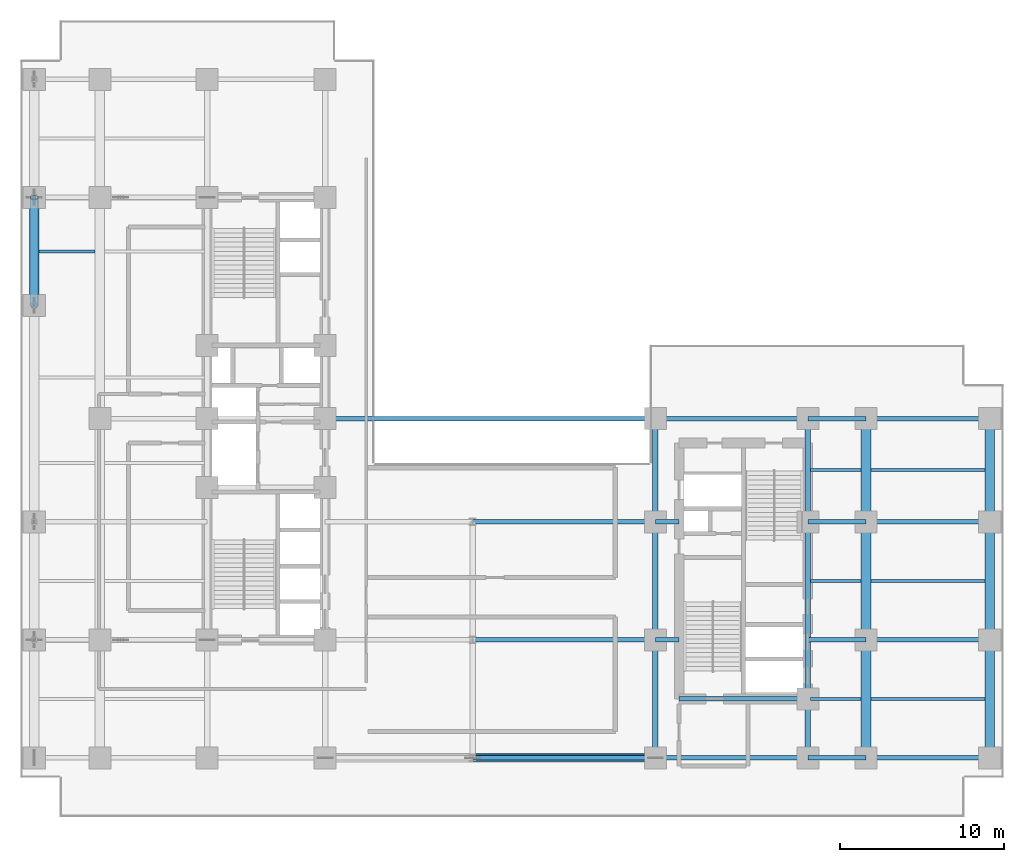
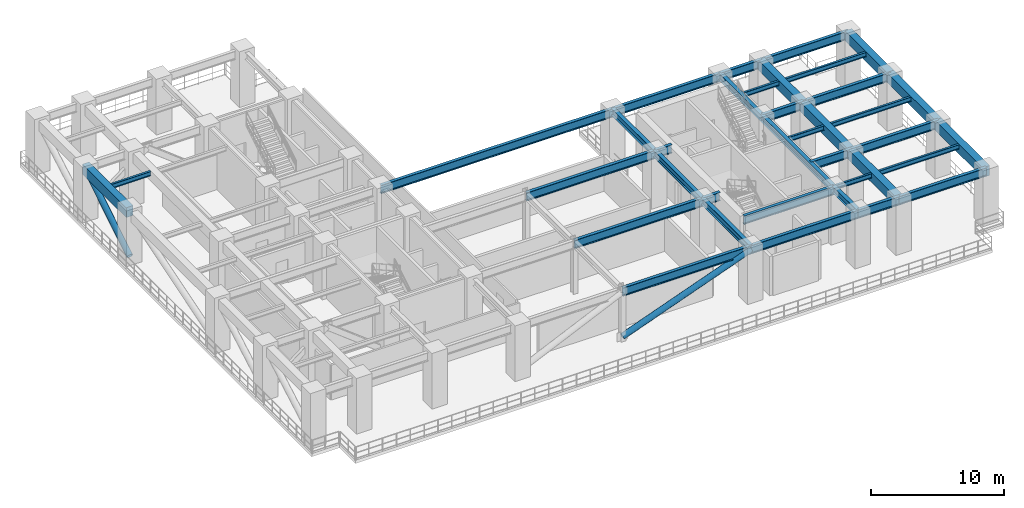
# One storey, part 3 of 15: 37 beams, 2 members.
"""IFC4 building model written with IfcOpenShell, lengths in metres."""

from ifc_helpers import new_model, entity, si_unit, converted_unit, direction, frame, origin_with_axes, origin_2d_with_axis, place, context, subcontext, project, spatial, rectangle, hollow_circle, i_section, extrude, material, material_profile, profile_set, type_object, element, save


model = new_model("IFC4")

# Units and contexts
model_context = context("Model", 3, precision=1e-05, world=origin_with_axes(), true_north=direction((0.0, 1.0)))
body_context = subcontext(model_context, "Body", "Model", "MODEL_VIEW")
ifc_project = project(units=[si_unit("LENGTHUNIT", "METRE"), si_unit("AREAUNIT", "SQUARE_METRE"), si_unit("VOLUMEUNIT", "CUBIC_METRE"), converted_unit("PLANEANGLEUNIT", "DEGREE", entity("IfcPlaneAngleMeasure", 0.017453292519943295), si_unit("PLANEANGLEUNIT", "RADIAN"), dimensions=[0, 0, 0, 0, 0, 0, 0]), si_unit("MASSUNIT", "GRAM", prefix="KILO"), si_unit("THERMODYNAMICTEMPERATUREUNIT", "KELVIN")], contexts=[model_context])

# Site, building, storey
site_placement = place(None, origin_with_axes())
site = spatial("IfcSite", under=ifc_project, at=site_placement, CompositionType="ELEMENT")
building_placement = place(site_placement, origin_with_axes())
building = spatial("IfcBuilding", under=site, at=building_placement, Name="Varnlund Millrace Tower", CompositionType="ELEMENT")
storey_placement = place(building_placement, frame((0.0, 0.0, 79.5), z_axis=(0.0, 0.0, 1.0), x_axis=(1.0, 0.0, 0.0)))
storey = spatial("IfcBuildingStorey", under=building, at=storey_placement, Name="L19", CompositionType="ELEMENT", Elevation=79.5)

# Members
ifc_material_1 = material(Name="Steel ASTM A500 Grade C", Category="steel")
ifc_material_profile_1 = material_profile(ifc_material_1, hollow_circle(Radius=0.254, WallThickness=0.0147, at=origin_2d_with_axis()), Name="Steel ASTM A500 Grade C")
ifc_profile_set_1 = profile_set([ifc_material_profile_1], Name="Steel ASTM A500 Grade C")
member_type = type_object("IfcMemberType", Name="Type-Belt-Brace-CHS508", PredefinedType="BRACE", material=ifc_profile_set_1)
member_1_placement = place(storey_placement, frame((0.85, 31.2, 0.35), z_axis=(0.0, 0.849441, 0.527683), x_axis=(-1.0, 0.0, 0.0)))
element("IfcMember", 1, at=member_1_placement, inside=storey, type_object=member_type, Name="Type-Belt-Brace-CHS508", PredefinedType="BRACE", context=body_context, shape_type="SweptSolid", body=[
    extrude(hollow_circle(Radius=0.254, WallThickness=0.0147, at=origin_2d_with_axis()), origin_with_axes(), (0.0, 0.0, 1.0), 7.769813),
])
member_2_placement = place(storey_placement, frame((27.6, 3.6, 0.35), z_axis=(0.938559, 0.0, 0.34512), x_axis=(0.0, 1.0, 0.0)))
element("IfcMember", 2, at=member_2_placement, inside=storey, type_object=member_type, Name="Type-Belt-Brace-CHS508", PredefinedType="BRACE", context=body_context, shape_type="SweptSolid", body=[
    extrude(hollow_circle(Radius=0.254, WallThickness=0.0147, at=origin_2d_with_axis()), origin_with_axes(), (0.0, 0.0, 1.0), 11.87992),
])

# Beams
ifc_material_2 = material(Name="Steel ASTM A992 Grade 50", Category="steel")
ifc_material_profile_2 = material_profile(ifc_material_2, i_section(OverallWidth=0.328, OverallDepth=0.628, WebThickness=0.0165, FlangeThickness=0.0277, FilletRadius=0.018, at=origin_2d_with_axis()), Name="Steel ASTM A992 Grade 50")
ifc_profile_set_2 = profile_set([ifc_material_profile_2], Name="Steel ASTM A992 Grade 50")
beam_type_1 = type_object("IfcBeamType", Name="Type-Girder-W24X146", PredefinedType="USERDEFINED", material=ifc_profile_set_2)
for number, where, z_axis, x_axis, name in (
    (3, (38.75, 3.6, 4.546), (0.0, 1.0, 0.0), (-1.0, 0.0, 0.0), "Type-Girder-W24X146"),
    (4, (38.75, 10.8, 4.546), (0.0, 1.0, 0.0), (-1.0, 0.0, 0.0), "Type-Girder-W24X146"),
):
    element("IfcBeam", number, at=place(storey_placement, frame(where, z_axis=z_axis, x_axis=x_axis)), inside=storey, type_object=beam_type_1, Name=name, ObjectType="GIRDER", PredefinedType="USERDEFINED", context=body_context, shape_type="SweptSolid", body=[
        extrude(i_section(OverallWidth=0.328, OverallDepth=0.628, WebThickness=0.0165, FlangeThickness=0.0277, FilletRadius=0.018, at=origin_2d_with_axis()), origin_with_axes(), (0.0, 0.0, 1.0), 7.2),
    ])
beam_1_placement = place(storey_placement, frame((38.75, 18.0, 4.546), z_axis=(0.0, 1.0, 0.0), x_axis=(-1.0, 0.0, 0.0)))
element("IfcBeam", 5, at=beam_1_placement, inside=storey, type_object=beam_type_1, Name="Type-Girder-W24X146", ObjectType="GIRDER", PredefinedType="USERDEFINED", context=body_context, shape_type="SweptSolid", body=[
    extrude(i_section(OverallWidth=0.328, OverallDepth=0.628, WebThickness=0.0165, FlangeThickness=0.0277, FilletRadius=0.018, at=origin_2d_with_axis()), origin_with_axes(), (0.0, 0.0, 1.0), 6.3),
])
beam_2_placement = place(storey_placement, frame((48.05, 3.6, 4.546), z_axis=(0.0, 1.0, 0.0), x_axis=(-1.0, 0.0, 0.0)))
element("IfcBeam", 6, at=beam_2_placement, inside=storey, type_object=beam_type_1, Name="Type-Girder-W24X146", ObjectType="GIRDER", PredefinedType="USERDEFINED", context=body_context, shape_type="SweptSolid", body=[
    extrude(i_section(OverallWidth=0.328, OverallDepth=0.628, WebThickness=0.0165, FlangeThickness=0.0277, FilletRadius=0.018, at=origin_2d_with_axis()), origin_with_axes(), (0.0, 0.0, 1.0), 3.6),
])
beam_3_placement = place(storey_placement, frame((48.05, 7.2, 4.546), z_axis=(0.0, 1.0, 0.0), x_axis=(-1.0, 0.0, 0.0)))
element("IfcBeam", 7, at=beam_3_placement, inside=storey, type_object=beam_type_1, Name="Type-Girder-W24X146", ObjectType="GIRDER", PredefinedType="USERDEFINED", context=body_context, shape_type="SweptSolid", body=[
    extrude(i_section(OverallWidth=0.328, OverallDepth=0.628, WebThickness=0.0165, FlangeThickness=0.0277, FilletRadius=0.018, at=origin_2d_with_axis()), origin_with_axes(), (0.0, 0.0, 1.0), 10.8),
])
beam_4_placement = place(storey_placement, frame((48.05, 18.0, 4.546), z_axis=(0.0, 1.0, 0.0), x_axis=(-1.0, 0.0, 0.0)))
element("IfcBeam", 8, at=beam_4_placement, inside=storey, type_object=beam_type_1, Name="Type-Girder-W24X146", ObjectType="GIRDER", PredefinedType="USERDEFINED", context=body_context, shape_type="SweptSolid", body=[
    extrude(i_section(OverallWidth=0.328, OverallDepth=0.628, WebThickness=0.0165, FlangeThickness=0.0277, FilletRadius=0.018, at=origin_2d_with_axis()), origin_with_axes(), (0.0, 0.0, 1.0), 6.3),
])
ifc_material_profile_3 = material_profile(ifc_material_2, i_section(OverallWidth=0.266, OverallDepth=0.779, WebThickness=0.0165, FlangeThickness=0.03, FilletRadius=0.02, at=origin_2d_with_axis()), Name="Steel ASTM A992 Grade 50")
ifc_profile_set_3 = profile_set([ifc_material_profile_3], Name="Steel ASTM A992 Grade 50")
beam_type_2 = type_object("IfcBeamType", Name="Type-Girder-W30X148", PredefinedType="USERDEFINED", material=ifc_profile_set_3)
beam_5_placement = place(storey_placement, frame((27.6, 3.6, 4.4705), z_axis=(1.0, 0.0, 0.0), x_axis=(0.0, 1.0, 0.0)))
element("IfcBeam", 9, at=beam_5_placement, inside=storey, type_object=beam_type_2, Name="Type-Girder-W30X148", ObjectType="GIRDER", PredefinedType="USERDEFINED", context=body_context, shape_type="SweptSolid", body=[
    extrude(i_section(OverallWidth=0.266, OverallDepth=0.779, WebThickness=0.0165, FlangeThickness=0.03, FilletRadius=0.02, at=origin_2d_with_axis()), origin_with_axes(), (0.0, 0.0, 1.0), 11.15),
])
beam_6_placement = place(storey_placement, frame((38.75, 3.6, 4.4705), z_axis=(1.0, 0.0, 0.0), x_axis=(0.0, 1.0, 0.0)))
element("IfcBeam", 10, at=beam_6_placement, inside=storey, type_object=beam_type_2, Name="Type-Girder-W30X148", ObjectType="GIRDER", PredefinedType="USERDEFINED", context=body_context, shape_type="SweptSolid", body=[
    extrude(i_section(OverallWidth=0.266, OverallDepth=0.779, WebThickness=0.0165, FlangeThickness=0.03, FilletRadius=0.02, at=origin_2d_with_axis()), origin_with_axes(), (0.0, 0.0, 1.0), 9.3),
])
beam_7_placement = place(storey_placement, frame((48.05, 3.6, 4.4705), z_axis=(1.0, 0.0, 0.0), x_axis=(0.0, 1.0, 0.0)))
element("IfcBeam", 11, at=beam_7_placement, inside=storey, type_object=beam_type_2, Name="Type-Girder-W30X148", ObjectType="GIRDER", PredefinedType="USERDEFINED", context=body_context, shape_type="SweptSolid", body=[
    extrude(i_section(OverallWidth=0.266, OverallDepth=0.779, WebThickness=0.0165, FlangeThickness=0.03, FilletRadius=0.02, at=origin_2d_with_axis()), origin_with_axes(), (0.0, 0.0, 1.0), 3.55),
])
beam_8_placement = place(storey_placement, frame((51.6, 3.6, 4.4705), z_axis=(1.0, 0.0, 0.0), x_axis=(0.0, 1.0, 0.0)))
element("IfcBeam", 12, at=beam_8_placement, inside=storey, type_object=beam_type_2, Name="Type-Girder-W30X148", ObjectType="GIRDER", PredefinedType="USERDEFINED", context=body_context, shape_type="SweptSolid", body=[
    extrude(i_section(OverallWidth=0.266, OverallDepth=0.779, WebThickness=0.0165, FlangeThickness=0.03, FilletRadius=0.02, at=origin_2d_with_axis()), origin_with_axes(), (0.0, 0.0, 1.0), 7.55),
])
beam_9_placement = place(storey_placement, frame((40.2, 7.2, 4.4705), z_axis=(1.0, 0.0, 0.0), x_axis=(0.0, 1.0, 0.0)))
element("IfcBeam", 13, at=beam_9_placement, inside=storey, type_object=beam_type_2, Name="Type-Girder-W30X148", ObjectType="GIRDER", PredefinedType="USERDEFINED", context=body_context, shape_type="SweptSolid", body=[
    extrude(i_section(OverallWidth=0.266, OverallDepth=0.779, WebThickness=0.0165, FlangeThickness=0.03, FilletRadius=0.02, at=origin_2d_with_axis()), origin_with_axes(), (0.0, 0.0, 1.0), 7.85),
])
beam_10_placement = place(storey_placement, frame((27.6, 10.8, 4.4705), z_axis=(1.0, 0.0, 0.0), x_axis=(0.0, 1.0, 0.0)))
element("IfcBeam", 14, at=beam_10_placement, inside=storey, type_object=beam_type_2, Name="Type-Girder-W30X148", ObjectType="GIRDER", PredefinedType="USERDEFINED", context=body_context, shape_type="SweptSolid", body=[
    extrude(i_section(OverallWidth=0.266, OverallDepth=0.779, WebThickness=0.0165, FlangeThickness=0.03, FilletRadius=0.02, at=origin_2d_with_axis()), origin_with_axes(), (0.0, 0.0, 1.0), 11.15),
])
beam_11_placement = place(storey_placement, frame((38.75, 10.8, 4.4705), z_axis=(1.0, 0.0, 0.0), x_axis=(0.0, 1.0, 0.0)))
element("IfcBeam", 15, at=beam_11_placement, inside=storey, type_object=beam_type_2, Name="Type-Girder-W30X148", ObjectType="GIRDER", PredefinedType="USERDEFINED", context=body_context, shape_type="SweptSolid", body=[
    extrude(i_section(OverallWidth=0.266, OverallDepth=0.779, WebThickness=0.0165, FlangeThickness=0.03, FilletRadius=0.02, at=origin_2d_with_axis()), origin_with_axes(), (0.0, 0.0, 1.0), 1.45),
])
beam_12_placement = place(storey_placement, frame((48.05, 10.8, 4.4705), z_axis=(1.0, 0.0, 0.0), x_axis=(0.0, 1.0, 0.0)))
element("IfcBeam", 16, at=beam_12_placement, inside=storey, type_object=beam_type_2, Name="Type-Girder-W30X148", ObjectType="GIRDER", PredefinedType="USERDEFINED", context=body_context, shape_type="SweptSolid", body=[
    extrude(i_section(OverallWidth=0.266, OverallDepth=0.779, WebThickness=0.0165, FlangeThickness=0.03, FilletRadius=0.02, at=origin_2d_with_axis()), origin_with_axes(), (0.0, 0.0, 1.0), 3.55),
])
beam_13_placement = place(storey_placement, frame((51.6, 10.8, 4.4705), z_axis=(1.0, 0.0, 0.0), x_axis=(0.0, 1.0, 0.0)))
element("IfcBeam", 17, at=beam_13_placement, inside=storey, type_object=beam_type_2, Name="Type-Girder-W30X148", ObjectType="GIRDER", PredefinedType="USERDEFINED", context=body_context, shape_type="SweptSolid", body=[
    extrude(i_section(OverallWidth=0.266, OverallDepth=0.779, WebThickness=0.0165, FlangeThickness=0.03, FilletRadius=0.02, at=origin_2d_with_axis()), origin_with_axes(), (0.0, 0.0, 1.0), 7.55),
])
beam_14_placement = place(storey_placement, frame((27.6, 18.0, 4.4705), z_axis=(1.0, 0.0, 0.0), x_axis=(0.0, 1.0, 0.0)))
element("IfcBeam", 18, at=beam_14_placement, inside=storey, type_object=beam_type_2, Name="Type-Girder-W30X148", ObjectType="GIRDER", PredefinedType="USERDEFINED", context=body_context, shape_type="SweptSolid", body=[
    extrude(i_section(OverallWidth=0.266, OverallDepth=0.779, WebThickness=0.0165, FlangeThickness=0.03, FilletRadius=0.02, at=origin_2d_with_axis()), origin_with_axes(), (0.0, 0.0, 1.0), 11.15),
])
beam_15_placement = place(storey_placement, frame((38.75, 18.0, 4.4705), z_axis=(1.0, 0.0, 0.0), x_axis=(0.0, 1.0, 0.0)))
element("IfcBeam", 19, at=beam_15_placement, inside=storey, type_object=beam_type_2, Name="Type-Girder-W30X148", ObjectType="GIRDER", PredefinedType="USERDEFINED", context=body_context, shape_type="SweptSolid", body=[
    extrude(i_section(OverallWidth=0.266, OverallDepth=0.779, WebThickness=0.0165, FlangeThickness=0.03, FilletRadius=0.02, at=origin_2d_with_axis()), origin_with_axes(), (0.0, 0.0, 1.0), 1.45),
])
beam_16_placement = place(storey_placement, frame((48.05, 18.0, 4.4705), z_axis=(1.0, 0.0, 0.0), x_axis=(0.0, 1.0, 0.0)))
element("IfcBeam", 20, at=beam_16_placement, inside=storey, type_object=beam_type_2, Name="Type-Girder-W30X148", ObjectType="GIRDER", PredefinedType="USERDEFINED", context=body_context, shape_type="SweptSolid", body=[
    extrude(i_section(OverallWidth=0.266, OverallDepth=0.779, WebThickness=0.0165, FlangeThickness=0.03, FilletRadius=0.02, at=origin_2d_with_axis()), origin_with_axes(), (0.0, 0.0, 1.0), 3.55),
])
beam_17_placement = place(storey_placement, frame((51.6, 18.0, 4.4705), z_axis=(1.0, 0.0, 0.0), x_axis=(0.0, 1.0, 0.0)))
element("IfcBeam", 21, at=beam_17_placement, inside=storey, type_object=beam_type_2, Name="Type-Girder-W30X148", ObjectType="GIRDER", PredefinedType="USERDEFINED", context=body_context, shape_type="SweptSolid", body=[
    extrude(i_section(OverallWidth=0.266, OverallDepth=0.779, WebThickness=0.0165, FlangeThickness=0.03, FilletRadius=0.02, at=origin_2d_with_axis()), origin_with_axes(), (0.0, 0.0, 1.0), 7.55),
])
beam_18_placement = place(storey_placement, frame((18.6, 24.3, 4.4705), z_axis=(1.0, 0.0, 0.0), x_axis=(0.0, 1.0, 0.0)))
element("IfcBeam", 22, at=beam_18_placement, inside=storey, type_object=beam_type_2, Name="Type-Girder-W30X148", ObjectType="GIRDER", PredefinedType="USERDEFINED", context=body_context, shape_type="SweptSolid", body=[
    extrude(i_section(OverallWidth=0.266, OverallDepth=0.779, WebThickness=0.0165, FlangeThickness=0.03, FilletRadius=0.02, at=origin_2d_with_axis()), origin_with_axes(), (0.0, 0.0, 1.0), 20.15),
])
beam_19_placement = place(storey_placement, frame((38.75, 24.3, 4.4705), z_axis=(1.0, 0.0, 0.0), x_axis=(0.0, 1.0, 0.0)))
element("IfcBeam", 23, at=beam_19_placement, inside=storey, type_object=beam_type_2, Name="Type-Girder-W30X148", ObjectType="GIRDER", PredefinedType="USERDEFINED", context=body_context, shape_type="SweptSolid", body=[
    extrude(i_section(OverallWidth=0.266, OverallDepth=0.779, WebThickness=0.0165, FlangeThickness=0.03, FilletRadius=0.02, at=origin_2d_with_axis()), origin_with_axes(), (0.0, 0.0, 1.0), 9.3),
])
beam_20_placement = place(storey_placement, frame((48.05, 24.3, 4.4705), z_axis=(1.0, 0.0, 0.0), x_axis=(0.0, 1.0, 0.0)))
element("IfcBeam", 24, at=beam_20_placement, inside=storey, type_object=beam_type_2, Name="Type-Girder-W30X148", ObjectType="GIRDER", PredefinedType="USERDEFINED", context=body_context, shape_type="SweptSolid", body=[
    extrude(i_section(OverallWidth=0.266, OverallDepth=0.779, WebThickness=0.0165, FlangeThickness=0.03, FilletRadius=0.02, at=origin_2d_with_axis()), origin_with_axes(), (0.0, 0.0, 1.0), 3.55),
])
beam_21_placement = place(storey_placement, frame((51.6, 24.3, 4.4705), z_axis=(1.0, 0.0, 0.0), x_axis=(0.0, 1.0, 0.0)))
element("IfcBeam", 25, at=beam_21_placement, inside=storey, type_object=beam_type_2, Name="Type-Girder-W30X148", ObjectType="GIRDER", PredefinedType="USERDEFINED", context=body_context, shape_type="SweptSolid", body=[
    extrude(i_section(OverallWidth=0.266, OverallDepth=0.779, WebThickness=0.0165, FlangeThickness=0.03, FilletRadius=0.02, at=origin_2d_with_axis()), origin_with_axes(), (0.0, 0.0, 1.0), 7.55),
])
ifc_material_profile_4 = material_profile(ifc_material_2, i_section(OverallWidth=0.181, OverallDepth=0.417, WebThickness=0.0109, FlangeThickness=0.0182, FilletRadius=0.013, at=origin_2d_with_axis()), Name="Steel ASTM A992 Grade 50")
ifc_profile_set_4 = profile_set([ifc_material_profile_4], Name="Steel ASTM A992 Grade 50")
beam_type_3 = type_object("IfcBeamType", Name="Type-Joist-W16X57", PredefinedType="JOIST", material=ifc_profile_set_4)
beam_22_placement = place(storey_placement, frame((1.15, 34.5, 4.6515), z_axis=(1.0, 0.0, 0.0), x_axis=(0.0, 1.0, 0.0)))
element("IfcBeam", 26, at=beam_22_placement, inside=storey, type_object=beam_type_3, Name="Type-Joist-W16X57", PredefinedType="JOIST", context=body_context, shape_type="SweptSolid", body=[
    extrude(i_section(OverallWidth=0.181, OverallDepth=0.417, WebThickness=0.0109, FlangeThickness=0.0182, FilletRadius=0.013, at=origin_2d_with_axis()), origin_with_axes(), (0.0, 0.0, 1.0), 3.4),
])
for number, where, z_axis, x_axis, name in (
    (27, (48.214, 7.2, 4.6515), (1.0, 0.0, 0.0), (0.0, 1.0, 0.0), "Type-Joist-W16X57"),
    (28, (48.214, 14.4, 4.6515), (1.0, 0.0, 0.0), (0.0, 1.0, 0.0), "Type-Joist-W16X57"),
    (29, (48.214, 21.15, 4.6515), (1.0, 0.0, 0.0), (0.0, 1.0, 0.0), "Type-Joist-W16X57"),
):
    element("IfcBeam", number, at=place(storey_placement, frame(where, z_axis=z_axis, x_axis=x_axis)), inside=storey, type_object=beam_type_3, Name=name, PredefinedType="JOIST", context=body_context, shape_type="SweptSolid", body=[
        extrude(i_section(OverallWidth=0.181, OverallDepth=0.417, WebThickness=0.0109, FlangeThickness=0.0182, FilletRadius=0.013, at=origin_2d_with_axis()), origin_with_axes(), (0.0, 0.0, 1.0), 3.086),
    ])
for number, where, z_axis, x_axis, name in (
    (30, (51.9, 7.2, 4.6515), (1.0, 0.0, 0.0), (0.0, 1.0, 0.0), "Type-Joist-W16X57"),
    (31, (51.9, 14.4, 4.6515), (1.0, 0.0, 0.0), (0.0, 1.0, 0.0), "Type-Joist-W16X57"),
    (32, (51.9, 21.15, 4.6515), (1.0, 0.0, 0.0), (0.0, 1.0, 0.0), "Type-Joist-W16X57"),
):
    element("IfcBeam", number, at=place(storey_placement, frame(where, z_axis=z_axis, x_axis=x_axis)), inside=storey, type_object=beam_type_3, Name=name, PredefinedType="JOIST", context=body_context, shape_type="SweptSolid", body=[
        extrude(i_section(OverallWidth=0.181, OverallDepth=0.417, WebThickness=0.0109, FlangeThickness=0.0182, FilletRadius=0.013, at=origin_2d_with_axis()), origin_with_axes(), (0.0, 0.0, 1.0), 6.95),
    ])
ifc_material_3 = material(Name="Concrete C70/85", Category="concrete")
ifc_material_profile_5 = material_profile(ifc_material_3, rectangle(XDim=0.6, YDim=0.9, at=origin_2d_with_axis()), Name="Concrete C70/85")
ifc_profile_set_5 = profile_set([ifc_material_profile_5], Name="Concrete C70/85")
beam_type_4 = type_object("IfcBeamType", Name="Type-Spandrel-RC600X900", PredefinedType="SPANDREL", material=ifc_profile_set_5)
beam_23_placement = place(storey_placement, frame((0.85, 31.2, 4.41), z_axis=(0.0, 1.0, 0.0), x_axis=(-1.0, 0.0, 0.0)))
element("IfcBeam", 33, at=beam_23_placement, inside=storey, type_object=beam_type_4, Name="Type-Spandrel-RC600X900", PredefinedType="SPANDREL", context=body_context, shape_type="SweptSolid", body=[
    extrude(rectangle(XDim=0.6, YDim=0.9, at=origin_2d_with_axis()), origin_with_axes(), (0.0, 0.0, 1.0), 6.6),
])
for number, where, z_axis, x_axis, name in (
    (34, (51.6, 3.6, 4.41), (0.0, 1.0, 0.0), (-1.0, 0.0, 0.0), "Type-Spandrel-RC600X900"),
    (35, (51.6, 10.8, 4.41), (0.0, 1.0, 0.0), (-1.0, 0.0, 0.0), "Type-Spandrel-RC600X900"),
):
    element("IfcBeam", number, at=place(storey_placement, frame(where, z_axis=z_axis, x_axis=x_axis)), inside=storey, type_object=beam_type_4, Name=name, PredefinedType="SPANDREL", context=body_context, shape_type="SweptSolid", body=[
        extrude(rectangle(XDim=0.6, YDim=0.9, at=origin_2d_with_axis()), origin_with_axes(), (0.0, 0.0, 1.0), 7.2),
    ])
beam_24_placement = place(storey_placement, frame((51.6, 18.0, 4.41), z_axis=(0.0, 1.0, 0.0), x_axis=(-1.0, 0.0, 0.0)))
element("IfcBeam", 36, at=beam_24_placement, inside=storey, type_object=beam_type_4, Name="Type-Spandrel-RC600X900", PredefinedType="SPANDREL", context=body_context, shape_type="SweptSolid", body=[
    extrude(rectangle(XDim=0.6, YDim=0.9, at=origin_2d_with_axis()), origin_with_axes(), (0.0, 0.0, 1.0), 6.3),
])
for number, where, z_axis, x_axis, name in (
    (37, (59.15, 3.6, 4.41), (0.0, 1.0, 0.0), (-1.0, 0.0, 0.0), "Type-Spandrel-RC600X900"),
    (38, (59.15, 10.8, 4.41), (0.0, 1.0, 0.0), (-1.0, 0.0, 0.0), "Type-Spandrel-RC600X900"),
):
    element("IfcBeam", number, at=place(storey_placement, frame(where, z_axis=z_axis, x_axis=x_axis)), inside=storey, type_object=beam_type_4, Name=name, PredefinedType="SPANDREL", context=body_context, shape_type="SweptSolid", body=[
        extrude(rectangle(XDim=0.6, YDim=0.9, at=origin_2d_with_axis()), origin_with_axes(), (0.0, 0.0, 1.0), 7.2),
    ])
beam_25_placement = place(storey_placement, frame((59.15, 18.0, 4.41), z_axis=(0.0, 1.0, 0.0), x_axis=(-1.0, 0.0, 0.0)))
element("IfcBeam", 39, at=beam_25_placement, inside=storey, type_object=beam_type_4, Name="Type-Spandrel-RC600X900", PredefinedType="SPANDREL", context=body_context, shape_type="SweptSolid", body=[
    extrude(rectangle(XDim=0.6, YDim=0.9, at=origin_2d_with_axis()), origin_with_axes(), (0.0, 0.0, 1.0), 6.3),
])

save(model, "model.ifc")
